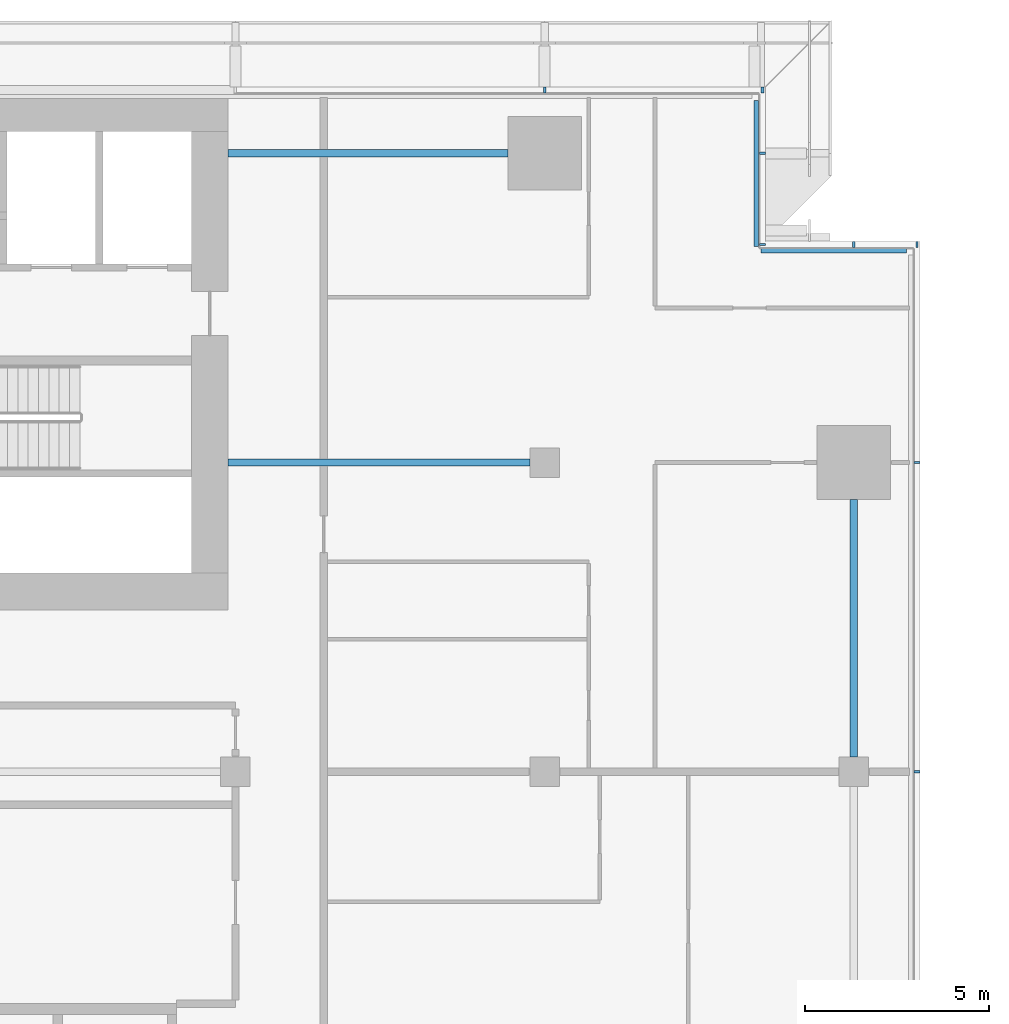
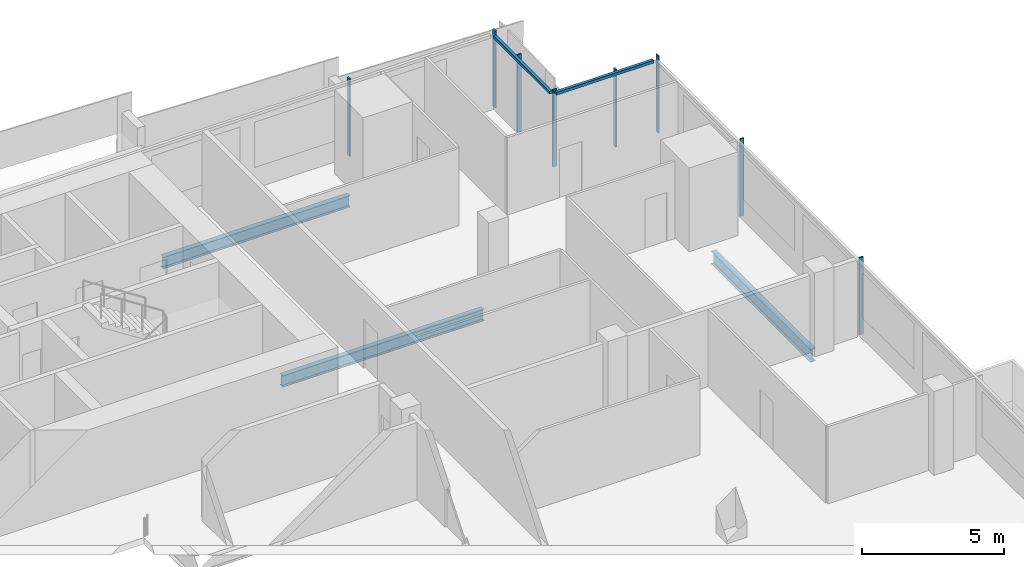
# One storey, part 13 of 29: 10 members, 3 beams, 4 elements without a shape of their own.
"""IFC4 building model written with IfcOpenShell, lengths in metres."""

from ifc_helpers import new_model, si_unit, direction, frame, origin, origin_2d, place, context, subcontext, project, spatial, rectangle, i_section, extrude, material, material_profile, profile_set, type_object, element, aggregate, save


model = new_model("IFC4")

# Units and contexts
model_context = context("Model", 3, precision=1e-05, world=origin(), true_north=direction((0.0, 1.0)))
body_context = subcontext(model_context, "Body", "Model", "MODEL_VIEW")
ifc_project = project(units=[si_unit("LENGTHUNIT", "METRE"), si_unit("AREAUNIT", "SQUARE_METRE"), si_unit("VOLUMEUNIT", "CUBIC_METRE"), si_unit("PLANEANGLEUNIT", "RADIAN"), si_unit("MASSUNIT", "GRAM", prefix="KILO")], contexts=[model_context])

# Site, building, storey
site_placement = place(None, origin())
site = spatial("IfcSite", under=ifc_project, at=site_placement, CompositionType="ELEMENT")
building_placement = place(site_placement, origin())
building = spatial("IfcBuilding", under=site, at=building_placement, Name="Saffron Gate Tower", CompositionType="ELEMENT")
storey_placement = place(building_placement, frame((0.0, 0.0, 116.85009765625)))
storey = spatial("IfcBuildingStorey", under=building, at=storey_placement, Name="L27", CompositionType="ELEMENT", Elevation=116.85009765625)

# Beams
ifc_material_1 = material(Name="Structural steel S355", Category="steel")
ifc_material_profile_1 = material_profile(ifc_material_1, i_section(OverallWidth=0.199951171875, OverallDepth=0.5, WebThickness=0.01025390625, FlangeThickness=0.01611328125, FilletRadius=0.02099609375, at=origin_2d()))
ifc_profile_set_1 = profile_set([ifc_material_profile_1], Name="Structural steel S355")
beam_type_1 = type_object("IfcBeamType", Name="B10 IPE 500", PredefinedType="BEAM", material=ifc_profile_set_1)
beam_1_placement = place(storey_placement, frame((116.60009765625, 65.39990234375, -0.530029296875), z_axis=(-1.0, 0.0, 0.0), x_axis=(0.0, -1.0, 0.0)))
element("IfcBeam", 1, at=beam_1_placement, inside=storey, type_object=beam_type_1, Name="B10 CORE TIE BEAM", PredefinedType="BEAM", context=body_context, shape_type="SweptSolid", body=[
    extrude(i_section(OverallWidth=0.199951171875, OverallDepth=0.5, WebThickness=0.01025390625, FlangeThickness=0.01611328125, FilletRadius=0.02099609375, at=origin_2d()), origin(), (0.0, 0.0, 1.0), 8.2001953125),
])
beam_2_placement = place(storey_placement, frame((116.0, 73.800048828125, -0.530029296875), z_axis=(-1.0, 0.0, 0.0), x_axis=(0.0, -1.0, 0.0)))
element("IfcBeam", 2, at=beam_2_placement, inside=storey, type_object=beam_type_1, Name="B10 CORE TIE BEAM", PredefinedType="BEAM", context=body_context, shape_type="SweptSolid", body=[
    extrude(i_section(OverallWidth=0.199951171875, OverallDepth=0.5, WebThickness=0.01025390625, FlangeThickness=0.01611328125, FilletRadius=0.02099609375, at=origin_2d()), origin(), (0.0, 0.0, 1.0), 7.60009765625),
])
ifc_material_profile_2 = material_profile(ifc_material_1, i_section(OverallWidth=0.2099609375, OverallDepth=0.550048828125, WebThickness=0.010986328125, FlangeThickness=0.01708984375, FilletRadius=0.02392578125, at=origin_2d()))
ifc_profile_set_2 = profile_set([ifc_material_profile_2], Name="Structural steel S355")
beam_type_2 = type_object("IfcBeamType", Name="B13 IPE 550", PredefinedType="SPANDREL", material=ifc_profile_set_2)
beam_3_placement = place(storey_placement, frame((125.39990234375, 57.39990234375, -0.55517578125), z_axis=(0.0, 1.0, 0.0), x_axis=(-1.0, 0.0, 0.0)))
element("IfcBeam", 3, at=beam_3_placement, inside=storey, type_object=beam_type_2, Name="B13 SPANDREL BEAM", PredefinedType="SPANDREL", context=body_context, shape_type="SweptSolid", body=[
    extrude(i_section(OverallWidth=0.2099609375, OverallDepth=0.550048828125, WebThickness=0.010986328125, FlangeThickness=0.01708984375, FilletRadius=0.02392578125, at=origin_2d()), origin(), (0.0, 0.0, 1.0), 7.0),
])

# Curtain wall, members
ifc_material_2 = material(Name="Aluminium, bronze anodised", Category="aluminium")
curtain_wall_type_1 = type_object("IfcCurtainWallType", Name="CWS2 curtain wall side facades", PredefinedType="NOTDEFINED", material=ifc_material_2)
curtain_wall_1_placement = place(storey_placement, origin())
curtain_wall_1 = element("IfcCurtainWall", 4, at=curtain_wall_1_placement, inside=storey, type_object=curtain_wall_type_1, Name="CWS2 run 4", PredefinedType="NOTDEFINED")
ifc_material_profile_3 = material_profile(ifc_material_2, rectangle(XDim=0.159912109375, YDim=0.06005859375, at=origin_2d()))
ifc_profile_set_3 = profile_set([ifc_material_profile_3], Name="Aluminium, bronze anodised")
member_type_1 = type_object("IfcMemberType", Name="CWS2 mullion 60x160", PredefinedType="MULLION", material=ifc_profile_set_3)
member_1_placement = place(storey_placement, frame((127.1201171875, 57.0, 0.0), z_axis=(0.0, 0.0, 1.0), x_axis=(-1.0, 0.0, 0.0)))
member_1 = element("IfcMember", 5, at=member_1_placement, type_object=member_type_1, Name="CWS2 mullion 4", PredefinedType="MULLION", context=body_context, shape_type="SweptSolid", body=[
    extrude(rectangle(XDim=0.159912109375, YDim=0.06005859375, at=origin_2d()), origin(), (0.0, 0.0, 1.0), 3.31982421875),
])
member_2_placement = place(storey_placement, frame((127.1201171875, 65.39990234375, 0.0), z_axis=(0.0, 0.0, 1.0), x_axis=(-1.0, 0.0, 0.0)))
member_2 = element("IfcMember", 6, at=member_2_placement, type_object=member_type_1, Name="CWS2 mullion 5", PredefinedType="MULLION", context=body_context, shape_type="SweptSolid", body=[
    extrude(rectangle(XDim=0.159912109375, YDim=0.06005859375, at=origin_2d()), origin(), (0.0, 0.0, 1.0), 3.31982421875),
])
aggregate(curtain_wall_1, [member_1, member_2])

curtain_wall_type_2 = type_object("IfcCurtainWallType", Name="CWS3 curtain wall rear facade", PredefinedType="NOTDEFINED", material=ifc_material_2)
curtain_wall_2_placement = place(storey_placement, origin())
curtain_wall_2 = element("IfcCurtainWall", 7, at=curtain_wall_2_placement, inside=storey, type_object=curtain_wall_type_2, Name="CWS3 run 7", PredefinedType="NOTDEFINED")
ifc_material_profile_4 = material_profile(ifc_material_2, rectangle(XDim=0.159912109375, YDim=0.070068359375, at=origin_2d()))
ifc_profile_set_4 = profile_set([ifc_material_profile_4], Name="Aluminium, bronze anodised")
member_type_2 = type_object("IfcMemberType", Name="CWS3 mullion 70x160", PredefinedType="MULLION", material=ifc_profile_set_4)
member_3_placement = place(storey_placement, frame((122.919921875, 75.52001953125, 0.0), z_axis=(0.0, 0.0, 1.0), x_axis=(0.0, -1.0, 0.0)))
member_3 = element("IfcMember", 8, at=member_3_placement, type_object=member_type_2, Name="CWS3 mullion 1", PredefinedType="MULLION", context=body_context, shape_type="SweptSolid", body=[
    extrude(rectangle(XDim=0.159912109375, YDim=0.070068359375, at=origin_2d()), origin(), (0.0, 0.0, 1.0), 3.31982421875),
])
member_4_placement = place(storey_placement, frame((117.0, 75.52001953125, 0.0), z_axis=(0.0, 0.0, 1.0), x_axis=(0.0, -1.0, 0.0)))
member_4 = element("IfcMember", 9, at=member_4_placement, type_object=member_type_2, Name="CWS3 mullion 2", PredefinedType="MULLION", context=body_context, shape_type="SweptSolid", body=[
    extrude(rectangle(XDim=0.159912109375, YDim=0.070068359375, at=origin_2d()), origin(), (0.0, 0.0, 1.0), 3.31982421875),
])
aggregate(curtain_wall_2, [member_3, member_4])

# Curtain wall, member
curtain_wall_type_3 = type_object("IfcCurtainWallType", Name="CWS4 curtain wall corner returns", PredefinedType="NOTDEFINED", material=ifc_material_2)
curtain_wall_3_placement = place(storey_placement, origin())
curtain_wall_3 = element("IfcCurtainWall", 10, at=curtain_wall_3_placement, inside=storey, type_object=curtain_wall_type_3, Name="CWS4 run 5", PredefinedType="NOTDEFINED")
ifc_material_profile_5 = material_profile(ifc_material_2, rectangle(XDim=0.1201171875, YDim=0.1201171875, at=origin_2d()))
ifc_profile_set_5 = profile_set([ifc_material_profile_5], Name="Aluminium, bronze anodised")
member_type_3 = type_object("IfcMemberType", Name="CWS4 head transom", PredefinedType="USERDEFINED", material=ifc_profile_set_5)
member_5_placement = place(storey_placement, frame((126.83203125, 71.152099609375, 3.260009765625), z_axis=(-1.0, 0.0, 0.0), x_axis=(0.0, -1.0, 0.0)))
member_5 = element("IfcMember", 11, at=member_5_placement, type_object=member_type_3, Name="CWS4 head transom", ObjectType="TRANSOM", PredefinedType="USERDEFINED", context=body_context, shape_type="SweptSolid", body=[
    extrude(rectangle(XDim=0.1201171875, YDim=0.1201171875, at=origin_2d()), origin(), (0.0, 0.0, 1.0), 3.9599609375),
])

curtain_wall_4_placement = place(storey_placement, origin())
curtain_wall_4 = element("IfcCurtainWall", 12, at=curtain_wall_4_placement, inside=storey, type_object=curtain_wall_type_3, Name="CWS4 run 6", PredefinedType="NOTDEFINED")
member_6_placement = place(storey_placement, frame((122.751953125, 71.27197265625, 3.260009765625), z_axis=(0.0, 1.0, 0.0), x_axis=(-1.0, 0.0, 0.0)))
member_6 = element("IfcMember", 13, at=member_6_placement, type_object=member_type_3, Name="CWS4 head transom", ObjectType="TRANSOM", PredefinedType="USERDEFINED", context=body_context, shape_type="SweptSolid", body=[
    extrude(rectangle(XDim=0.1201171875, YDim=0.1201171875, at=origin_2d()), origin(), (0.0, 0.0, 1.0), 3.9599609375),
])

# Member
ifc_material_profile_6 = material_profile(ifc_material_2, rectangle(XDim=0.159912109375, YDim=0.06005859375, at=origin_2d()))
ifc_profile_set_6 = profile_set([ifc_material_profile_6], Name="Aluminium, bronze anodised")
member_type_4 = type_object("IfcMemberType", Name="CWS4 mullion 60x160", PredefinedType="MULLION", material=ifc_profile_set_6)
member_7_placement = place(storey_placement, frame((127.1201171875, 71.320068359375, 0.0), z_axis=(0.0, 0.0, 1.0), x_axis=(0.0, -1.0, 0.0)))
member_7 = element("IfcMember", 14, at=member_7_placement, type_object=member_type_4, Name="CWS4 mullion 1", PredefinedType="MULLION", context=body_context, shape_type="SweptSolid", body=[
    extrude(rectangle(XDim=0.159912109375, YDim=0.06005859375, at=origin_2d()), origin(), (0.0, 0.0, 1.0), 3.31982421875),
])

member_8_placement = place(storey_placement, frame((125.39990234375, 71.320068359375, 0.0), z_axis=(0.0, 0.0, 1.0), x_axis=(0.0, -1.0, 0.0)))
member_8 = element("IfcMember", 15, at=member_8_placement, type_object=member_type_4, Name="CWS4 mullion 2", PredefinedType="MULLION", context=body_context, shape_type="SweptSolid", body=[
    extrude(rectangle(XDim=0.159912109375, YDim=0.06005859375, at=origin_2d()), origin(), (0.0, 0.0, 1.0), 3.31982421875),
])

aggregate(curtain_wall_3, [member_7, member_8, member_5])

member_9_placement = place(storey_placement, frame((122.919921875, 71.320068359375, 0.0), z_axis=(0.0, 0.0, 1.0), x_axis=(-1.0, 0.0, 0.0)))
member_9 = element("IfcMember", 16, at=member_9_placement, type_object=member_type_4, Name="CWS4 mullion 1", PredefinedType="MULLION", context=body_context, shape_type="SweptSolid", body=[
    extrude(rectangle(XDim=0.159912109375, YDim=0.06005859375, at=origin_2d()), origin(), (0.0, 0.0, 1.0), 3.31982421875),
])

member_10_placement = place(storey_placement, frame((122.919921875, 73.800048828125, 0.0), z_axis=(0.0, 0.0, 1.0), x_axis=(-1.0, 0.0, 0.0)))
member_10 = element("IfcMember", 17, at=member_10_placement, type_object=member_type_4, Name="CWS4 mullion 2", PredefinedType="MULLION", context=body_context, shape_type="SweptSolid", body=[
    extrude(rectangle(XDim=0.159912109375, YDim=0.06005859375, at=origin_2d()), origin(), (0.0, 0.0, 1.0), 3.31982421875),
])

aggregate(curtain_wall_4, [member_9, member_10, member_6])

save(model, "model.ifc")
